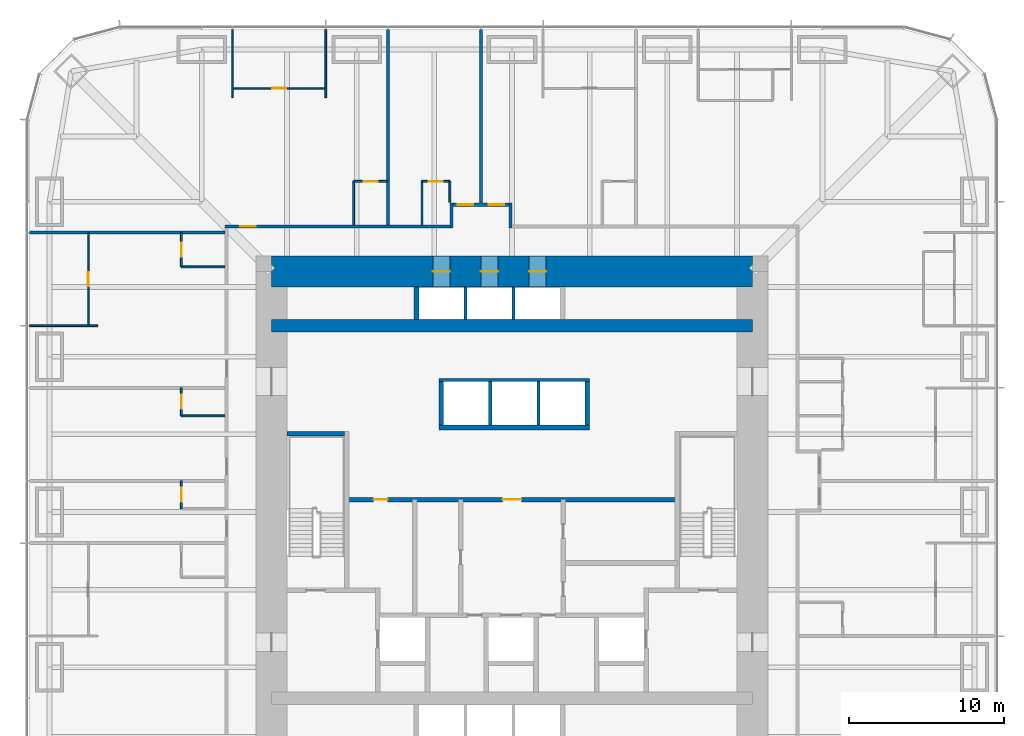
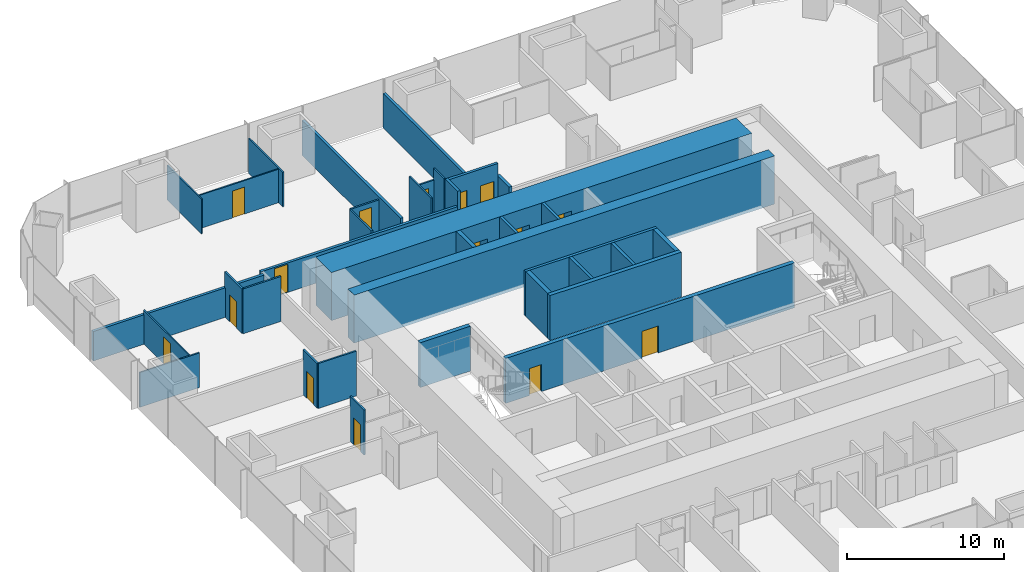
# One storey, part 14 of 16: 35 walls, 15 doors, 15 openings.
"""IFC4 building model written with IfcOpenShell, lengths in metres."""

from ifc_helpers import new_model, si_unit, direction, frame, frame_2d, origin, place, context, subcontext, project, spatial, rectangle, extrude, material, layer, layer_set, type_object, element, fill, save


model = new_model("IFC4")

# Units and contexts
model_context = context("Model", 3, precision=1e-05, world=origin(), true_north=direction((0.0, 1.0)))
body_context = subcontext(model_context, "Body", "Model", "MODEL_VIEW")
ifc_project = project(units=[si_unit("LENGTHUNIT", "METRE"), si_unit("AREAUNIT", "SQUARE_METRE"), si_unit("VOLUMEUNIT", "CUBIC_METRE"), si_unit("PLANEANGLEUNIT", "RADIAN"), si_unit("MASSUNIT", "GRAM", prefix="KILO")], contexts=[model_context])

# Site, building, storey
site_placement = place(None, origin())
site = spatial("IfcSite", under=ifc_project, at=site_placement, CompositionType="ELEMENT")
building_placement = place(site_placement, origin())
building = spatial("IfcBuilding", under=site, at=building_placement, Name="Khuree Lantern Residences", CompositionType="ELEMENT")
storey_placement = place(building_placement, frame((0.0, 0.0, 69.75)))
storey = spatial("IfcBuildingStorey", under=building, at=storey_placement, Name="L17", CompositionType="ELEMENT", Elevation=69.75)

# Wall, opening, door
ifc_material_1 = material(Name="Moisture-resistant gypsum board on steel studs", Category="steel")
ifc_layer_1 = layer(ifc_material_1, 0.125)
ifc_layer_set_1 = layer_set([ifc_layer_1], Name="BATHROOM WALL BTW125")
wall_type_1 = type_object("IfcWallType", Name="BATHROOM WALL BTW125", PredefinedType="PARTITIONING", material=ifc_layer_set_1)
wall_1_placement = place(storey_placement, frame((-4.0, 21.300048828125, 0.0), z_axis=(0.0, 0.0, 1.0), x_axis=(-1.0, 0.0, 0.0)))
wall_1 = element("IfcWall", 1, at=wall_1_placement, inside=storey, type_object=wall_type_1, Name="L17 BATHROOM WALL 04", PredefinedType="PARTITIONING", context=body_context, shape_type="SweptSolid", body=[
    extrude(rectangle(XDim=1.800048828125, YDim=0.125, at=frame_2d((0.89990234375, 0.0))), origin(), (0.0, 0.0, 1.0), 2.610107421875),
])
opening_1_placement = place(wall_1_placement, frame((0.449951171875, 0.0, 0.0)))
opening_1 = element("IfcOpeningElement", 2, at=opening_1_placement, cuts=wall_1, Name="Opening 17-035", PredefinedType="OPENING", context=body_context, shape_type="SweptSolid", body=[
    extrude(rectangle(XDim=0.89990234375, YDim=2.10009765625, at=frame_2d((0.449951171875, 1.050048828125))), frame((0.0, 0.072509765625, 0.0), z_axis=(0.0, -1.0, 0.0), x_axis=(1.0, 0.0, 0.0)), (0.0, 0.0, 1.0), 0.14501953125),
])
ifc_material_2 = material(Name="Timber door leaf in hardwood frame", Category="wood")
door_type_1 = type_object("IfcDoorType", Name="BATHROOM DOOR 900X2100", OperationType="SINGLE_SWING_LEFT", PredefinedType="DOOR", material=ifc_material_2)
door_1_placement = place(opening_1_placement, origin())
door_1 = element("IfcDoor", 3, at=door_1_placement, inside=storey, type_object=door_type_1, Name="Bathroom door 17-035", OperationType="SINGLE_SWING_LEFT", OverallHeight=2.10009765625, OverallWidth=0.89990234375, PredefinedType="DOOR", context=body_context, shape_type="SweptSolid", body=[
    extrude(rectangle(XDim=0.89990234375, YDim=2.10009765625, at=frame_2d((0.449951171875, 1.050048828125))), frame((0.0, 0.02490234375, 0.0), z_axis=(0.0, -1.0, 0.0), x_axis=(1.0, 0.0, 0.0)), (0.0, 0.0, 1.0), 0.050048828125),
])
fill(opening_1, door_1)

# Walls
wall_2_placement = place(storey_placement, frame((-4.0, 19.969970703125, 0.0), z_axis=(0.0, 0.0, 1.0), x_axis=(0.0, 1.0, 0.0)))
element("IfcWall", 4, at=wall_2_placement, inside=storey, type_object=wall_type_1, Name="L17 BATHROOM WALL 04", PredefinedType="PARTITIONING", context=body_context, shape_type="SweptSolid", body=[
    extrude(rectangle(XDim=1.330078125, YDim=0.125, at=frame_2d((0.6650390625, 0.0))), origin(), (0.0, 0.0, 1.0), 3.5),
])
wall_3_placement = place(storey_placement, frame((-5.800048828125, 18.5, 0.0), z_axis=(0.0, 0.0, 1.0), x_axis=(0.0, 1.0, 0.0)))
element("IfcWall", 5, at=wall_3_placement, inside=storey, type_object=wall_type_1, Name="L17 BATHROOM WALL 04", PredefinedType="PARTITIONING", context=body_context, shape_type="SweptSolid", body=[
    extrude(rectangle(XDim=2.800048828125, YDim=0.125, at=frame_2d((1.39990234375, 0.0))), origin(), (0.0, 0.0, 1.0), 3.5),
])

# Wall, opening, door
wall_4_placement = place(storey_placement, frame((-8.0, 21.300048828125, 0.0), z_axis=(0.0, 0.0, 1.0), x_axis=(-1.0, 0.0, 0.0)))
wall_4 = element("IfcWall", 6, at=wall_4_placement, inside=storey, type_object=wall_type_1, Name="L17 BATHROOM WALL 05", PredefinedType="PARTITIONING", context=body_context, shape_type="SweptSolid", body=[
    extrude(rectangle(XDim=2.199951171875, YDim=0.125, at=frame_2d((1.10009765625, 0.0))), origin(), (0.0, 0.0, 1.0), 2.491943359375),
])
opening_2_placement = place(wall_4_placement, frame((0.64990234375, 0.0, 0.0)))
opening_2 = element("IfcOpeningElement", 7, at=opening_2_placement, cuts=wall_4, Name="Opening 17-038", PredefinedType="OPENING", context=body_context, shape_type="SweptSolid", body=[
    extrude(rectangle(XDim=0.89990234375, YDim=2.10009765625, at=frame_2d((0.449951171875, 1.050048828125))), frame((0.0, 0.072509765625, 0.0), z_axis=(0.0, -1.0, 0.0), x_axis=(1.0, 0.0, 0.0)), (0.0, 0.0, 1.0), 0.14501953125),
])
door_2_placement = place(opening_2_placement, origin())
door_2 = element("IfcDoor", 8, at=door_2_placement, inside=storey, type_object=door_type_1, Name="Bathroom door 17-038", OperationType="SINGLE_SWING_LEFT", OverallHeight=2.10009765625, OverallWidth=0.89990234375, PredefinedType="DOOR", context=body_context, shape_type="SweptSolid", body=[
    extrude(rectangle(XDim=0.89990234375, YDim=2.10009765625, at=frame_2d((0.449951171875, 1.050048828125))), frame((0.0, 0.02490234375, 0.0), z_axis=(0.0, -1.0, 0.0), x_axis=(1.0, 0.0, 0.0)), (0.0, 0.0, 1.0), 0.050048828125),
])
fill(opening_2, door_2)

# Wall
wall_5_placement = place(storey_placement, frame((-10.199951171875, 18.5, 0.0), z_axis=(0.0, 0.0, 1.0), x_axis=(0.0, 1.0, 0.0)))
element("IfcWall", 9, at=wall_5_placement, inside=storey, type_object=wall_type_1, Name="L17 BATHROOM WALL 05", PredefinedType="PARTITIONING", context=body_context, shape_type="SweptSolid", body=[
    extrude(rectangle(XDim=2.800048828125, YDim=0.125, at=frame_2d((1.39990234375, 0.0))), origin(), (0.0, 0.0, 1.0), 2.491943359375),
])

# Wall, opening, door
wall_6_placement = place(storey_placement, frame((-21.300048828125, 18.0, 0.0), z_axis=(0.0, 0.0, 1.0), x_axis=(0.0, -1.0, 0.0)))
wall_6 = element("IfcWall", 10, at=wall_6_placement, inside=storey, type_object=wall_type_1, Name="L17 BATHROOM WALL 06", PredefinedType="PARTITIONING", context=body_context, shape_type="SweptSolid", body=[
    extrude(rectangle(XDim=2.199951171875, YDim=0.125, at=frame_2d((1.10009765625, 0.0))), origin(), (0.0, 0.0, 1.0), 3.5),
])
opening_3_placement = place(wall_6_placement, frame((0.64990234375, 0.0, 0.0)))
opening_3 = element("IfcOpeningElement", 11, at=opening_3_placement, cuts=wall_6, Name="Opening 17-041", PredefinedType="OPENING", context=body_context, shape_type="SweptSolid", body=[
    extrude(rectangle(XDim=0.89990234375, YDim=2.10009765625, at=frame_2d((0.449951171875, 1.050048828125))), frame((0.0, 0.072509765625, 0.0), z_axis=(0.0, -1.0, 0.0), x_axis=(1.0, 0.0, 0.0)), (0.0, 0.0, 1.0), 0.14501953125),
])
door_3_placement = place(opening_3_placement, origin())
door_3 = element("IfcDoor", 12, at=door_3_placement, inside=storey, type_object=door_type_1, Name="Bathroom door 17-041", OperationType="SINGLE_SWING_LEFT", OverallHeight=2.10009765625, OverallWidth=0.89990234375, PredefinedType="DOOR", context=body_context, shape_type="SweptSolid", body=[
    extrude(rectangle(XDim=0.89990234375, YDim=2.10009765625, at=frame_2d((0.449951171875, 1.050048828125))), frame((0.0, 0.02490234375, 0.0), z_axis=(0.0, -1.0, 0.0), x_axis=(1.0, 0.0, 0.0)), (0.0, 0.0, 1.0), 0.050048828125),
])
fill(opening_3, door_3)

# Wall
wall_7_placement = place(storey_placement, frame((-18.5, 15.800048828125, 0.0), z_axis=(0.0, 0.0, 1.0), x_axis=(-1.0, 0.0, 0.0)))
element("IfcWall", 13, at=wall_7_placement, inside=storey, type_object=wall_type_1, Name="L17 BATHROOM WALL 06", PredefinedType="PARTITIONING", context=body_context, shape_type="SweptSolid", body=[
    extrude(rectangle(XDim=2.800048828125, YDim=0.125, at=frame_2d((1.39990234375, 0.0))), origin(), (0.0, 0.0, 1.0), 3.5),
])

# Wall, opening, door
wall_8_placement = place(storey_placement, frame((-21.300048828125, 8.0, 0.0), z_axis=(0.0, 0.0, 1.0), x_axis=(0.0, -1.0, 0.0)))
wall_8 = element("IfcWall", 14, at=wall_8_placement, inside=storey, type_object=wall_type_1, Name="L17 BATHROOM WALL 07", PredefinedType="PARTITIONING", context=body_context, shape_type="SweptSolid", body=[
    extrude(rectangle(XDim=1.800048828125, YDim=0.125, at=frame_2d((0.89990234375, 0.0))), origin(), (0.0, 0.0, 1.0), 3.5),
])
opening_4_placement = place(wall_8_placement, frame((0.449951171875, 0.0, 0.0)))
opening_4 = element("IfcOpeningElement", 15, at=opening_4_placement, cuts=wall_8, Name="Opening 17-043", PredefinedType="OPENING", context=body_context, shape_type="SweptSolid", body=[
    extrude(rectangle(XDim=0.89990234375, YDim=2.10009765625, at=frame_2d((0.449951171875, 1.050048828125))), frame((0.0, 0.072509765625, 0.0), z_axis=(0.0, -1.0, 0.0), x_axis=(1.0, 0.0, 0.0)), (0.0, 0.0, 1.0), 0.14501953125),
])
door_4_placement = place(opening_4_placement, origin())
door_4 = element("IfcDoor", 16, at=door_4_placement, inside=storey, type_object=door_type_1, Name="Bathroom door 17-043", OperationType="SINGLE_SWING_LEFT", OverallHeight=2.10009765625, OverallWidth=0.89990234375, PredefinedType="DOOR", context=body_context, shape_type="SweptSolid", body=[
    extrude(rectangle(XDim=0.89990234375, YDim=2.10009765625, at=frame_2d((0.449951171875, 1.050048828125))), frame((0.0, 0.02490234375, 0.0), z_axis=(0.0, -1.0, 0.0), x_axis=(1.0, 0.0, 0.0)), (0.0, 0.0, 1.0), 0.050048828125),
])
fill(opening_4, door_4)

# Wall
wall_9_placement = place(storey_placement, frame((-18.5, 6.199951171875, 0.0), z_axis=(0.0, 0.0, 1.0), x_axis=(-1.0, 0.0, 0.0)))
element("IfcWall", 17, at=wall_9_placement, inside=storey, type_object=wall_type_1, Name="L17 BATHROOM WALL 07", PredefinedType="PARTITIONING", context=body_context, shape_type="SweptSolid", body=[
    extrude(rectangle(XDim=2.800048828125, YDim=0.125, at=frame_2d((1.39990234375, 0.0))), origin(), (0.0, 0.0, 1.0), 3.5),
])

# Wall, opening, door
wall_10_placement = place(storey_placement, frame((-21.300048828125, 2.0, 0.0), z_axis=(0.0, 0.0, 1.0), x_axis=(0.0, -1.0, 0.0)))
wall_10 = element("IfcWall", 18, at=wall_10_placement, inside=storey, type_object=wall_type_1, Name="L17 BATHROOM WALL 08", PredefinedType="PARTITIONING", context=body_context, shape_type="SweptSolid", body=[
    extrude(rectangle(XDim=1.800048828125, YDim=0.125, at=frame_2d((0.89990234375, 0.0))), origin(), (0.0, 0.0, 1.0), 3.5),
])
opening_5_placement = place(wall_10_placement, frame((0.449951171875, 0.0, 0.0)))
opening_5 = element("IfcOpeningElement", 19, at=opening_5_placement, cuts=wall_10, Name="Opening 17-045", PredefinedType="OPENING", context=body_context, shape_type="SweptSolid", body=[
    extrude(rectangle(XDim=0.89990234375, YDim=2.10009765625, at=frame_2d((0.449951171875, 1.050048828125))), frame((0.0, 0.072509765625, 0.0), z_axis=(0.0, -1.0, 0.0), x_axis=(1.0, 0.0, 0.0)), (0.0, 0.0, 1.0), 0.14501953125),
])
door_5_placement = place(opening_5_placement, origin())
door_5 = element("IfcDoor", 20, at=door_5_placement, inside=storey, type_object=door_type_1, Name="Bathroom door 17-045", OperationType="SINGLE_SWING_LEFT", OverallHeight=2.10009765625, OverallWidth=0.89990234375, PredefinedType="DOOR", context=body_context, shape_type="SweptSolid", body=[
    extrude(rectangle(XDim=0.89990234375, YDim=2.10009765625, at=frame_2d((0.449951171875, 1.050048828125))), frame((0.0, 0.02490234375, 0.0), z_axis=(0.0, -1.0, 0.0), x_axis=(1.0, 0.0, 0.0)), (0.0, 0.0, 1.0), 0.050048828125),
])
fill(opening_5, door_5)

# Walls
ifc_material_3 = material(Name="Dense concrete blockwork", Category="masonry")
ifc_layer_2 = layer(ifc_material_3, 0.300048828125)
ifc_layer_set_2 = layer_set([ifc_layer_2], Name="CORE PARTITION WALL CPW300 EI 120")
wall_type_2 = type_object("IfcWallType", Name="CORE PARTITION WALL CPW300 EI 120", PredefinedType="PARTITIONING", material=ifc_layer_set_2)
wall_11_placement = place(storey_placement, frame((-4.699951171875, 5.449951171875, 0.0), z_axis=(0.0, 0.0, 1.0), x_axis=(1.0, 0.0, 0.0)))
element("IfcWall", 21, at=wall_11_placement, inside=storey, type_object=wall_type_2, Name="L17 CORE WALL PHS", PredefinedType="PARTITIONING", context=body_context, shape_type="SweptSolid", body=[
    extrude(rectangle(XDim=9.699951171875, YDim=0.300048828125, at=frame_2d((4.85009765625, 0.0))), origin(), (0.0, 0.0, 1.0), 3.5),
])
for number, where, z_axis, x_axis, name in (
    (22, (-4.550048828125, 5.60009765625, 0.0), (0.0, 0.0, 1.0), (0.0, 1.0, 0.0), "L17 CORE WALL PHW"),
    (23, (4.85009765625, 5.60009765625, 0.0), (0.0, 0.0, 1.0), (0.0, 1.0, 0.0), "L17 CORE WALL PHE"),
):
    element("IfcWall", number, at=place(storey_placement, frame(where, z_axis=z_axis, x_axis=x_axis)), inside=storey, type_object=wall_type_2, Name=name, PredefinedType="PARTITIONING", context=body_context, shape_type="SweptSolid", body=[
        extrude(rectangle(XDim=2.7998046875, YDim=0.300048828125, at=frame_2d((1.39990234375, 0.0))), origin(), (0.0, 0.0, 1.0), 3.5),
    ])
wall_12_placement = place(storey_placement, frame((-6.14990234375, 12.39990234375, 0.0), z_axis=(0.0, 0.0, 1.0), x_axis=(0.0, 1.0, 0.0)))
element("IfcWall", 24, at=wall_12_placement, inside=storey, type_object=wall_type_2, Name="L17 CORE WALL PLW", PredefinedType="PARTITIONING", context=body_context, shape_type="SweptSolid", body=[
    extrude(rectangle(XDim=2.10009765625, YDim=0.300048828125, at=frame_2d((1.050048828125, 0.0))), origin(), (0.0, 0.0, 1.0), 3.5),
])

# Wall, openings, doors
wall_13_placement = place(storey_placement, frame((-10.64990234375, 0.800048828125, 0.0), z_axis=(0.0, 0.0, 1.0), x_axis=(1.0, 0.0, 0.0)))
wall_13 = element("IfcWall", 25, at=wall_13_placement, inside=storey, type_object=wall_type_2, Name="L17 CORE WALL LLS", PredefinedType="PARTITIONING", context=body_context, shape_type="SweptSolid", body=[
    extrude(rectangle(XDim=21.2998046875, YDim=0.300048828125, at=frame_2d((10.64990234375, 0.0))), origin(), (0.0, 0.0, 1.0), 3.5),
])
opening_6_placement = place(wall_13_placement, frame((10.050048828125, 0.0, 0.0)))
opening_6 = element("IfcOpeningElement", 26, at=opening_6_placement, cuts=wall_13, Name="Opening 17-013", PredefinedType="OPENING", context=body_context, shape_type="SweptSolid", body=[
    extrude(rectangle(XDim=1.199951171875, YDim=2.10009765625, at=frame_2d((0.60009765625, 1.050048828125))), frame((0.0, 0.16015625, 0.0), z_axis=(0.0, -1.0, 0.0), x_axis=(1.0, 0.0, 0.0)), (0.0, 0.0, 1.0), 0.320068359375),
])
opening_7_placement = place(wall_13_placement, frame((1.739990234375, 0.0, 0.0)))
opening_7 = element("IfcOpeningElement", 27, at=opening_7_placement, cuts=wall_13, Name="Opening 17-017", PredefinedType="OPENING", context=body_context, shape_type="SweptSolid", body=[
    extrude(rectangle(XDim=0.89990234375, YDim=2.10009765625, at=frame_2d((0.449951171875, 1.050048828125))), frame((0.0, 0.16015625, 0.0), z_axis=(0.0, -1.0, 0.0), x_axis=(1.0, 0.0, 0.0)), (0.0, 0.0, 1.0), 0.320068359375),
])
ifc_material_4 = material(Name="Steel door leaf in steel frame", Category="steel")
door_type_2 = type_object("IfcDoorType", Name="DOOR 1200X2100 EI 60", OperationType="SINGLE_SWING_LEFT", PredefinedType="DOOR", material=ifc_material_4)
door_6_placement = place(opening_6_placement, origin())
door_6 = element("IfcDoor", 28, at=door_6_placement, inside=storey, type_object=door_type_2, Name="Service lift lobby door 17-013", OperationType="SINGLE_SWING_LEFT", OverallHeight=2.10009765625, OverallWidth=1.199951171875, PredefinedType="DOOR", context=body_context, shape_type="SweptSolid", body=[
    extrude(rectangle(XDim=1.199951171875, YDim=2.10009765625, at=frame_2d((0.60009765625, 1.050048828125))), frame((0.0, 0.02490234375, 0.0), z_axis=(0.0, -1.0, 0.0), x_axis=(1.0, 0.0, 0.0)), (0.0, 0.0, 1.0), 0.050048828125),
])
fill(opening_6, door_6)
door_type_3 = type_object("IfcDoorType", Name="DOOR 900X2100", OperationType="SINGLE_SWING_LEFT", PredefinedType="DOOR", material=ifc_material_2)
door_7_placement = place(opening_7_placement, origin())
door_7 = element("IfcDoor", 29, at=door_7_placement, inside=storey, type_object=door_type_3, Name="Residents' store door 17-017", OperationType="SINGLE_SWING_LEFT", OverallHeight=2.10009765625, OverallWidth=0.89990234375, PredefinedType="DOOR", context=body_context, shape_type="SweptSolid", body=[
    extrude(rectangle(XDim=0.89990234375, YDim=2.10009765625, at=frame_2d((0.449951171875, 1.050048828125))), frame((0.0, 0.02490234375, 0.0), z_axis=(0.0, -1.0, 0.0), x_axis=(1.0, 0.0, 0.0)), (0.0, 0.0, 1.0), 0.050048828125),
])
fill(opening_7, door_7)

# Wall, opening, door
ifc_material_5 = material(Name="Gypsum board on steel studs", Category="steel")
ifc_layer_3 = layer(ifc_material_5, 0.199951171875)
ifc_layer_set_3 = layer_set([ifc_layer_3], Name="CORRIDOR WALL CRW200 EI 60")
wall_type_3 = type_object("IfcWallType", Name="CORRIDOR WALL CRW200 EI 60", PredefinedType="PARTITIONING", material=ifc_layer_set_3)
wall_14_placement = place(storey_placement, frame((-18.5, 18.39990234375, 0.0), z_axis=(0.0, 0.0, 1.0), x_axis=(1.0, 0.0, 0.0)))
wall_14 = element("IfcWall", 30, at=wall_14_placement, inside=storey, type_object=wall_type_3, Name="L17 CORRIDOR WALL NORTH 1", PredefinedType="PARTITIONING", context=body_context, shape_type="SweptSolid", body=[
    extrude(rectangle(XDim=14.5, YDim=0.199951171875, at=frame_2d((7.25, 0.0))), origin(), (0.0, 0.0, 1.0), 2.300048828125),
])
opening_8_placement = place(wall_14_placement, frame((0.97998046875, 0.0, 0.0)))
opening_8 = element("IfcOpeningElement", 31, at=opening_8_placement, cuts=wall_14, Name="Opening 17-039", PredefinedType="OPENING", context=body_context, shape_type="SweptSolid", body=[
    extrude(rectangle(XDim=1.0, YDim=2.199951171875, at=frame_2d((0.5, 1.10009765625))), frame((0.0, 0.10986328125, 0.0), z_axis=(0.0, -1.0, 0.0), x_axis=(1.0, 0.0, 0.0)), (0.0, 0.0, 1.0), 0.219970703125),
])
door_type_4 = type_object("IfcDoorType", Name="APARTMENT ENTRANCE DOOR 1000X2200 EI 30S", OperationType="SINGLE_SWING_LEFT", PredefinedType="DOOR", material=ifc_material_2)
door_8_placement = place(opening_8_placement, origin())
door_8 = element("IfcDoor", 32, at=door_8_placement, inside=storey, type_object=door_type_4, Name="Apartment 05 entrance door 17-039", OperationType="SINGLE_SWING_LEFT", OverallHeight=2.199951171875, OverallWidth=1.0, PredefinedType="DOOR", context=body_context, shape_type="SweptSolid", body=[
    extrude(rectangle(XDim=1.0, YDim=2.199951171875, at=frame_2d((0.5, 1.10009765625))), frame((0.0, 0.02490234375, 0.0), z_axis=(0.0, -1.0, 0.0), x_axis=(1.0, 0.0, 0.0)), (0.0, 0.0, 1.0), 0.050048828125),
])
fill(opening_8, door_8)

# Walls
wall_15_placement = place(storey_placement, frame((-3.89990234375, 18.300048828125, 0.0), z_axis=(0.0, 0.0, 1.0), x_axis=(0.0, 1.0, 0.0)))
element("IfcWall", 33, at=wall_15_placement, inside=storey, type_object=wall_type_3, Name="L17 CORRIDOR ALCOVE WALL NORTH", PredefinedType="PARTITIONING", context=body_context, shape_type="SweptSolid", body=[
    extrude(rectangle(XDim=1.599853515625, YDim=0.199951171875, at=frame_2d((0.7998046875, 0.0))), origin(), (0.0, 0.0, 1.0), 3.5),
])
wall_16_placement = place(storey_placement, frame((-0.10009765625, 18.300048828125, 0.0), z_axis=(0.0, 0.0, 1.0), x_axis=(0.0, 1.0, 0.0)))
element("IfcWall", 34, at=wall_16_placement, inside=storey, type_object=wall_type_3, Name="L17 CORRIDOR ALCOVE WALL NORTH", PredefinedType="PARTITIONING", context=body_context, shape_type="SweptSolid", body=[
    extrude(rectangle(XDim=1.599853515625, YDim=0.199951171875, at=frame_2d((0.7998046875, 0.0))), origin(), (0.0, 0.0, 1.0), 2.491943359375),
])

# Wall, openings, doors
wall_17_placement = place(storey_placement, frame((-3.800048828125, 19.800048828125, 0.0), z_axis=(0.0, 0.0, 1.0), x_axis=(1.0, 0.0, 0.0)))
wall_17 = element("IfcWall", 35, at=wall_17_placement, inside=storey, type_object=wall_type_3, Name="L17 CORRIDOR ALCOVE WALL NORTH", PredefinedType="PARTITIONING", context=body_context, shape_type="SweptSolid", body=[
    extrude(rectangle(XDim=3.60009765625, YDim=0.199951171875, at=frame_2d((1.800048828125, 0.0))), origin(), (0.0, 0.0, 1.0), 3.5),
])
opening_9_placement = place(wall_17_placement, frame((2.300048828125, 0.0, 0.0)))
opening_9 = element("IfcOpeningElement", 36, at=opening_9_placement, cuts=wall_17, Name="Opening 17-034", PredefinedType="OPENING", context=body_context, shape_type="SweptSolid", body=[
    extrude(rectangle(XDim=1.0, YDim=2.199951171875, at=frame_2d((0.5, 1.10009765625))), frame((0.0, 0.10986328125, 0.0), z_axis=(0.0, -1.0, 0.0), x_axis=(1.0, 0.0, 0.0)), (0.0, 0.0, 1.0), 0.219970703125),
])
opening_10_placement = place(wall_17_placement, frame((0.300048828125, 0.0, 0.0)))
opening_10 = element("IfcOpeningElement", 37, at=opening_10_placement, cuts=wall_17, Name="Opening 17-036", PredefinedType="OPENING", context=body_context, shape_type="SweptSolid", body=[
    extrude(rectangle(XDim=1.0, YDim=2.199951171875, at=frame_2d((0.5, 1.10009765625))), frame((0.0, 0.10986328125, 0.0), z_axis=(0.0, -1.0, 0.0), x_axis=(1.0, 0.0, 0.0)), (0.0, 0.0, 1.0), 0.219970703125),
])
door_9_placement = place(opening_9_placement, origin())
door_9 = element("IfcDoor", 38, at=door_9_placement, inside=storey, type_object=door_type_4, Name="Apartment 03 entrance door 17-034", OperationType="SINGLE_SWING_LEFT", OverallHeight=2.199951171875, OverallWidth=1.0, PredefinedType="DOOR", context=body_context, shape_type="SweptSolid", body=[
    extrude(rectangle(XDim=1.0, YDim=2.199951171875, at=frame_2d((0.5, 1.10009765625))), frame((0.0, 0.02490234375, 0.0), z_axis=(0.0, -1.0, 0.0), x_axis=(1.0, 0.0, 0.0)), (0.0, 0.0, 1.0), 0.050048828125),
])
fill(opening_9, door_9)
door_10_placement = place(opening_10_placement, origin())
door_10 = element("IfcDoor", 39, at=door_10_placement, inside=storey, type_object=door_type_4, Name="Apartment 04 entrance door 17-036", OperationType="SINGLE_SWING_LEFT", OverallHeight=2.199951171875, OverallWidth=1.0, PredefinedType="DOOR", context=body_context, shape_type="SweptSolid", body=[
    extrude(rectangle(XDim=1.0, YDim=2.199951171875, at=frame_2d((0.5, 1.10009765625))), frame((0.0, 0.02490234375, 0.0), z_axis=(0.0, -1.0, 0.0), x_axis=(1.0, 0.0, 0.0)), (0.0, 0.0, 1.0), 0.050048828125),
])
fill(opening_10, door_10)

ifc_material_6 = material(Name="Concrete C70/85", Category="concrete")
ifc_layer_4 = layer(ifc_material_6, 2.0)
ifc_layer_set_4 = layer_set([ifc_layer_4], Name="CW2000-C70 CORE WALL C70 2000")
wall_type_4 = type_object("IfcWallType", Name="CW2000-C70 CORE WALL C70 2000", PredefinedType="SHEAR", material=ifc_layer_set_4)
wall_18_placement = place(storey_placement, frame((-15.5, 15.5, -0.25), z_axis=(0.0, 0.0, 1.0), x_axis=(1.0, 0.0, 0.0)))
wall_18 = element("IfcWall", 40, at=wall_18_placement, inside=storey, type_object=wall_type_4, Name="Core wall N", PredefinedType="SHEAR", context=body_context, shape_type="SweptSolid", body=[
    extrude(rectangle(XDim=31.0, YDim=2.0, at=frame_2d((15.5, 0.0))), origin(), (0.0, 0.0, 1.0), 3.75),
])
opening_11_placement = place(wall_18_placement, frame((10.39990234375, 0.0, 0.25)))
opening_11 = element("IfcOpeningElement", 41, at=opening_11_placement, cuts=wall_18, Name="Opening 17-009", PredefinedType="OPENING", context=body_context, shape_type="SweptSolid", body=[
    extrude(rectangle(XDim=1.10009765625, YDim=2.10009765625, at=frame_2d((0.550048828125, 1.050048828125))), frame((0.0, 1.010009765625, 0.0), z_axis=(0.0, -1.0, 0.0), x_axis=(1.0, 0.0, 0.0)), (0.0, 0.0, 1.0), 2.02001953125),
])
opening_12_placement = place(wall_18_placement, frame((13.5, 0.0, 0.25)))
opening_12 = element("IfcOpeningElement", 42, at=opening_12_placement, cuts=wall_18, Name="Opening 17-010", PredefinedType="OPENING", context=body_context, shape_type="SweptSolid", body=[
    extrude(rectangle(XDim=1.10009765625, YDim=2.10009765625, at=frame_2d((0.550048828125, 1.050048828125))), frame((0.0, 1.010009765625, 0.0), z_axis=(0.0, -1.0, 0.0), x_axis=(1.0, 0.0, 0.0)), (0.0, 0.0, 1.0), 2.02001953125),
])
opening_13_placement = place(wall_18_placement, frame((16.60009765625, 0.0, 0.25)))
opening_13 = element("IfcOpeningElement", 43, at=opening_13_placement, cuts=wall_18, Name="Opening 17-011", PredefinedType="OPENING", context=body_context, shape_type="SweptSolid", body=[
    extrude(rectangle(XDim=1.10009765625, YDim=2.10009765625, at=frame_2d((0.550048828125, 1.050048828125))), frame((0.0, 1.010009765625, 0.0), z_axis=(0.0, -1.0, 0.0), x_axis=(1.0, 0.0, 0.0)), (0.0, 0.0, 1.0), 2.02001953125),
])
ifc_material_7 = material(Name="Stainless steel lift landing door", Category="steel")
door_type_5 = type_object("IfcDoorType", Name="LIFT LANDING DOOR 1100X2100 E 60", OperationType="DOUBLE_DOOR_SLIDING", PredefinedType="DOOR", material=ifc_material_7)
door_11_placement = place(opening_11_placement, origin())
door_11 = element("IfcDoor", 44, at=door_11_placement, inside=storey, type_object=door_type_5, Name="Landing door PL1 17-009", OperationType="DOUBLE_DOOR_SLIDING", OverallHeight=2.10009765625, OverallWidth=1.10009765625, PredefinedType="DOOR", context=body_context, shape_type="SweptSolid", body=[
    extrude(rectangle(XDim=1.10009765625, YDim=2.10009765625, at=frame_2d((0.550048828125, 1.050048828125))), frame((0.0, 0.02490234375, 0.0), z_axis=(0.0, -1.0, 0.0), x_axis=(1.0, 0.0, 0.0)), (0.0, 0.0, 1.0), 0.050048828125),
])
fill(opening_11, door_11)
door_12_placement = place(opening_12_placement, origin())
door_12 = element("IfcDoor", 45, at=door_12_placement, inside=storey, type_object=door_type_5, Name="Landing door PL2 17-010", OperationType="DOUBLE_DOOR_SLIDING", OverallHeight=2.10009765625, OverallWidth=1.10009765625, PredefinedType="DOOR", context=body_context, shape_type="SweptSolid", body=[
    extrude(rectangle(XDim=1.10009765625, YDim=2.10009765625, at=frame_2d((0.550048828125, 1.050048828125))), frame((0.0, 0.02490234375, 0.0), z_axis=(0.0, -1.0, 0.0), x_axis=(1.0, 0.0, 0.0)), (0.0, 0.0, 1.0), 0.050048828125),
])
fill(opening_12, door_12)
door_13_placement = place(opening_13_placement, origin())
door_13 = element("IfcDoor", 46, at=door_13_placement, inside=storey, type_object=door_type_5, Name="Landing door PL3 17-011", OperationType="DOUBLE_DOOR_SLIDING", OverallHeight=2.10009765625, OverallWidth=1.10009765625, PredefinedType="DOOR", context=body_context, shape_type="SweptSolid", body=[
    extrude(rectangle(XDim=1.10009765625, YDim=2.10009765625, at=frame_2d((0.550048828125, 1.050048828125))), frame((0.0, 0.02490234375, 0.0), z_axis=(0.0, -1.0, 0.0), x_axis=(1.0, 0.0, 0.0)), (0.0, 0.0, 1.0), 0.050048828125),
])
fill(opening_13, door_13)

# Walls
ifc_layer_5 = layer(ifc_material_5, 0.199951171875)
ifc_layer_set_5 = layer_set([ifc_layer_5], Name="DEMISING WALL DMW200 EI 90")
wall_type_5 = type_object("IfcWallType", Name="DEMISING WALL DMW200 EI 90", PredefinedType="PARTITIONING", material=ifc_layer_set_5)
wall_19_placement = place(storey_placement, frame((-2.0, 19.89990234375, 0.0), z_axis=(0.0, 0.0, 1.0), x_axis=(0.0, 1.0, 0.0)))
element("IfcWall", 47, at=wall_19_placement, inside=storey, type_object=wall_type_5, Name="L17 DEMISING WALL 04", PredefinedType="PARTITIONING", context=body_context, shape_type="SweptSolid", body=[
    extrude(rectangle(XDim=11.2001953125, YDim=0.199951171875, at=frame_2d((5.60009765625, 0.0))), origin(), (0.0, 0.0, 1.0), 2.7099609375),
])
wall_20_placement = place(storey_placement, frame((-8.0, 18.5, 0.0), z_axis=(0.0, 0.0, 1.0), x_axis=(0.0, 1.0, 0.0)))
element("IfcWall", 48, at=wall_20_placement, inside=storey, type_object=wall_type_5, Name="L17 DEMISING WALL 05", PredefinedType="PARTITIONING", context=body_context, shape_type="SweptSolid", body=[
    extrude(rectangle(XDim=12.60009765625, YDim=0.199951171875, at=frame_2d((6.300048828125, 0.0))), origin(), (0.0, 0.0, 1.0), 2.7099609375),
])
wall_21_placement = place(storey_placement, frame((-18.5, 18.0, 0.0), z_axis=(0.0, 0.0, 1.0), x_axis=(-1.0, 0.0, 0.0)))
element("IfcWall", 49, at=wall_21_placement, inside=storey, type_object=wall_type_5, Name="L17 DEMISING WALL 06", PredefinedType="PARTITIONING", context=body_context, shape_type="SweptSolid", body=[
    extrude(rectangle(XDim=12.60009765625, YDim=0.199951171875, at=frame_2d((6.300048828125, 0.0))), origin(), (0.0, 0.0, 1.0), 2.300048828125),
])
ifc_layer_6 = layer(ifc_material_5, 0.10009765625)
ifc_layer_set_6 = layer_set([ifc_layer_6], Name="PARTITION PT100")
wall_type_6 = type_object("IfcWallType", Name="PARTITION PT100", PredefinedType="PARTITIONING", material=ifc_layer_set_6)
for number, where, z_axis, x_axis, name in (
    (50, (-12.0, 26.699951171875, 0.0), (0.0, 0.0, 1.0), (0.0, 1.0, 0.0), "L17 PARTITION 05"),
    (51, (-18.0, 26.699951171875, 0.0), (0.0, 0.0, 1.0), (0.0, 1.0, 0.0), "L17 PARTITION 05"),
    (52, (-26.699951171875, 12.0, 0.0), (0.0, 0.0, 1.0), (-1.0, 0.0, 0.0), "L17 PARTITION 06"),
):
    element("IfcWall", number, at=place(storey_placement, frame(where, z_axis=z_axis, x_axis=x_axis)), inside=storey, type_object=wall_type_6, Name=name, PredefinedType="PARTITIONING", context=body_context, shape_type="SweptSolid", body=[
        extrude(rectangle(XDim=4.400146484375, YDim=0.10009765625, at=frame_2d((2.2001953125, 0.0))), origin(), (0.0, 0.0, 1.0), 2.7099609375),
    ])

# Wall, opening, door
wall_22_placement = place(storey_placement, frame((-12.0, 27.300048828125, 0.0), z_axis=(0.0, 0.0, 1.0), x_axis=(-1.0, 0.0, 0.0)))
wall_22 = element("IfcWall", 53, at=wall_22_placement, inside=storey, type_object=wall_type_6, Name="L17 PARTITION 05", PredefinedType="PARTITIONING", context=body_context, shape_type="SweptSolid", body=[
    extrude(rectangle(XDim=6.0, YDim=0.10009765625, at=frame_2d((3.0, 0.0))), origin(), (0.0, 0.0, 1.0), 2.610107421875),
])
opening_14_placement = place(wall_22_placement, frame((2.550048828125, 0.0, 0.0)))
opening_14 = element("IfcOpeningElement", 54, at=opening_14_placement, cuts=wall_22, Name="Opening 17-037", PredefinedType="OPENING", context=body_context, shape_type="SweptSolid", body=[
    extrude(rectangle(XDim=0.89990234375, YDim=2.10009765625, at=frame_2d((0.449951171875, 1.050048828125))), frame((0.0, 0.06005859375, 0.0), z_axis=(0.0, -1.0, 0.0), x_axis=(1.0, 0.0, 0.0)), (0.0, 0.0, 1.0), 0.1201171875),
])
door_type_6 = type_object("IfcDoorType", Name="BEDROOM DOOR 900X2100", OperationType="SINGLE_SWING_LEFT", PredefinedType="DOOR", material=ifc_material_2)
door_14_placement = place(opening_14_placement, origin())
door_14 = element("IfcDoor", 55, at=door_14_placement, inside=storey, type_object=door_type_6, Name="Bedroom door 17-037", OperationType="SINGLE_SWING_LEFT", OverallHeight=2.10009765625, OverallWidth=0.89990234375, PredefinedType="DOOR", context=body_context, shape_type="SweptSolid", body=[
    extrude(rectangle(XDim=0.89990234375, YDim=2.10009765625, at=frame_2d((0.449951171875, 1.050048828125))), frame((0.0, 0.02490234375, 0.0), z_axis=(0.0, -1.0, 0.0), x_axis=(1.0, 0.0, 0.0)), (0.0, 0.0, 1.0), 0.050048828125),
])
fill(opening_14, door_14)

wall_23_placement = place(storey_placement, frame((-27.300048828125, 18.0, 0.0), z_axis=(0.0, 0.0, 1.0), x_axis=(0.0, -1.0, 0.0)))
wall_23 = element("IfcWall", 56, at=wall_23_placement, inside=storey, type_object=wall_type_6, Name="L17 PARTITION 06", PredefinedType="PARTITIONING", context=body_context, shape_type="SweptSolid", body=[
    extrude(rectangle(XDim=6.0, YDim=0.10009765625, at=frame_2d((3.0, 0.0))), origin(), (0.0, 0.0, 1.0), 2.610107421875),
])
opening_15_placement = place(wall_23_placement, frame((2.550048828125, 0.0, 0.0)))
opening_15 = element("IfcOpeningElement", 57, at=opening_15_placement, cuts=wall_23, Name="Opening 17-040", PredefinedType="OPENING", context=body_context, shape_type="SweptSolid", body=[
    extrude(rectangle(XDim=0.89990234375, YDim=2.10009765625, at=frame_2d((0.449951171875, 1.050048828125))), frame((0.0, 0.06005859375, 0.0), z_axis=(0.0, -1.0, 0.0), x_axis=(1.0, 0.0, 0.0)), (0.0, 0.0, 1.0), 0.1201171875),
])
door_15_placement = place(opening_15_placement, origin())
door_15 = element("IfcDoor", 58, at=door_15_placement, inside=storey, type_object=door_type_6, Name="Bedroom door 17-040", OperationType="SINGLE_SWING_LEFT", OverallHeight=2.10009765625, OverallWidth=0.89990234375, PredefinedType="DOOR", context=body_context, shape_type="SweptSolid", body=[
    extrude(rectangle(XDim=0.89990234375, YDim=2.10009765625, at=frame_2d((0.449951171875, 1.050048828125))), frame((0.0, 0.02490234375, 0.0), z_axis=(0.0, -1.0, 0.0), x_axis=(1.0, 0.0, 0.0)), (0.0, 0.0, 1.0), 0.050048828125),
])
fill(opening_15, door_15)

# Walls
ifc_layer_7 = layer(ifc_material_3, 0.199951171875)
ifc_layer_set_7 = layer_set([ifc_layer_7], Name="SHAFT WALL SHW200 EI 120")
wall_type_7 = type_object("IfcWallType", Name="SHAFT WALL SHW200 EI 120", PredefinedType="PARTITIONING", material=ifc_layer_set_7)
wall_24_placement = place(storey_placement, frame((-4.699951171875, 8.5, 0.0), z_axis=(0.0, 0.0, 1.0), x_axis=(1.0, 0.0, 0.0)))
element("IfcWall", 59, at=wall_24_placement, inside=storey, type_object=wall_type_7, Name="L17 CORE WALL PHN", PredefinedType="PARTITIONING", context=body_context, shape_type="SweptSolid", body=[
    extrude(rectangle(XDim=9.699951171875, YDim=0.199951171875, at=frame_2d((4.85009765625, 0.0))), origin(), (0.0, 0.0, 1.0), 3.5),
])
for number, where, z_axis, x_axis, name in (
    (60, (-1.39990234375, 5.60009765625, 0.0), (0.0, 0.0, 1.0), (0.0, 1.0, 0.0), "L17 CORE WALL PHD1"),
    (61, (1.699951171875, 5.60009765625, 0.0), (0.0, 0.0, 1.0), (0.0, 1.0, 0.0), "L17 CORE WALL PHD2"),
):
    element("IfcWall", number, at=place(storey_placement, frame(where, z_axis=z_axis, x_axis=x_axis)), inside=storey, type_object=wall_type_7, Name=name, PredefinedType="PARTITIONING", context=body_context, shape_type="SweptSolid", body=[
        extrude(rectangle(XDim=2.7998046875, YDim=0.199951171875, at=frame_2d((1.39990234375, 0.0))), origin(), (0.0, 0.0, 1.0), 3.5),
    ])
for number, where, z_axis, x_axis, name in (
    (62, (-3.0, 12.39990234375, 0.0), (0.0, 0.0, 1.0), (0.0, 1.0, 0.0), "L17 CORE WALL PLD1"),
    (63, (0.10009765625, 12.39990234375, 0.0), (0.0, 0.0, 1.0), (0.0, 1.0, 0.0), "L17 CORE WALL PLD2"),
):
    element("IfcWall", number, at=place(storey_placement, frame(where, z_axis=z_axis, x_axis=x_axis)), inside=storey, type_object=wall_type_7, Name=name, PredefinedType="PARTITIONING", context=body_context, shape_type="SweptSolid", body=[
        extrude(rectangle(XDim=2.10009765625, YDim=0.199951171875, at=frame_2d((1.050048828125, 0.0))), origin(), (0.0, 0.0, 1.0), 3.5),
    ])
ifc_layer_8 = layer(ifc_material_6, 0.800048828125)
ifc_layer_set_8 = layer_set([ifc_layer_8], Name="SP800-C70 CORE SPINE WALL C70 800")
wall_type_8 = type_object("IfcWallType", Name="SP800-C70 CORE SPINE WALL C70 800", PredefinedType="SHEAR", material=ifc_layer_set_8)
wall_25_placement = place(storey_placement, frame((-15.5, 12.0, -0.25), z_axis=(0.0, 0.0, 1.0), x_axis=(1.0, 0.0, 0.0)))
element("IfcWall", 64, at=wall_25_placement, inside=storey, type_object=wall_type_8, Name="Core wall SPN", PredefinedType="SHEAR", context=body_context, shape_type="SweptSolid", body=[
    extrude(rectangle(XDim=31.0, YDim=0.800048828125, at=frame_2d((15.5, 0.0))), origin(), (0.0, 0.0, 1.0), 3.75),
])
ifc_material_8 = material(Name="Concrete C50/60", Category="concrete")
ifc_layer_9 = layer(ifc_material_8, 0.300048828125)
ifc_layer_set_9 = layer_set([ifc_layer_9], Name="STAIR WALL SRW300 C50/60 REI 240")
wall_type_9 = type_object("IfcWallType", Name="STAIR WALL SRW300 C50/60 REI 240", PredefinedType="SOLIDWALL", material=ifc_layer_set_9)
wall_26_placement = place(storey_placement, frame((-14.5, 5.050048828125, 0.0), z_axis=(0.0, 0.0, 1.0), x_axis=(1.0, 0.0, 0.0)))
element("IfcWall", 65, at=wall_26_placement, inside=storey, type_object=wall_type_9, Name="L17 STAIR WALL ST1N", PredefinedType="SOLIDWALL", context=body_context, shape_type="SweptSolid", body=[
    extrude(rectangle(XDim=3.699951171875, YDim=0.300048828125, at=frame_2d((1.85009765625, 0.0))), origin(), (0.0, 0.0, 1.0), 3.5),
])

save(model, "model.ifc")
